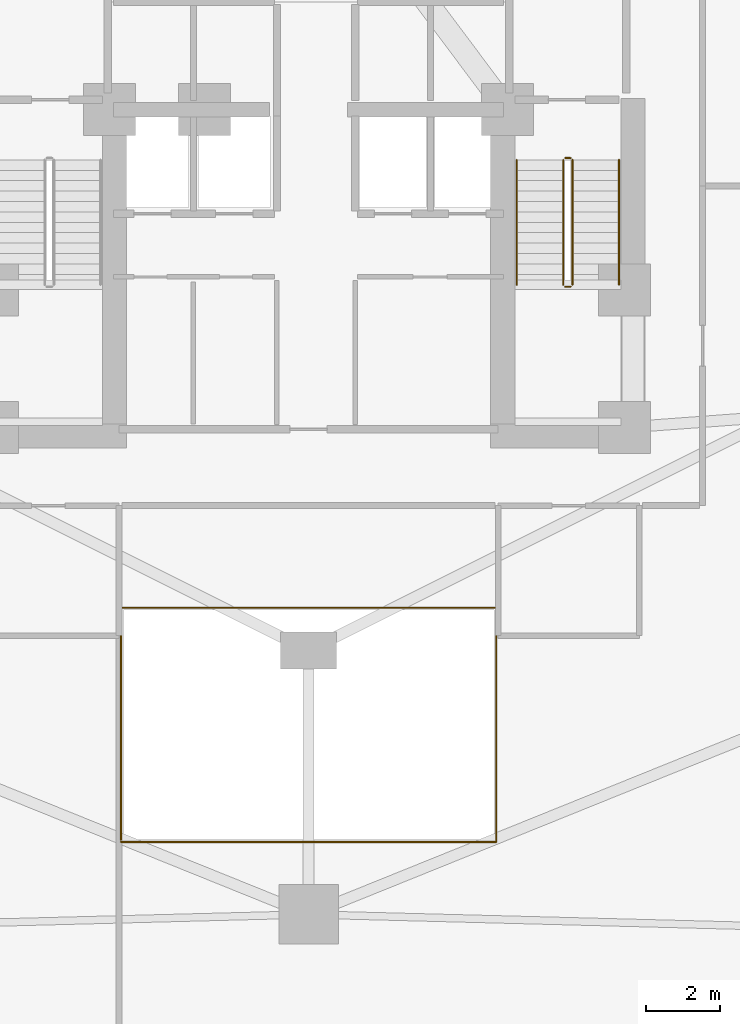
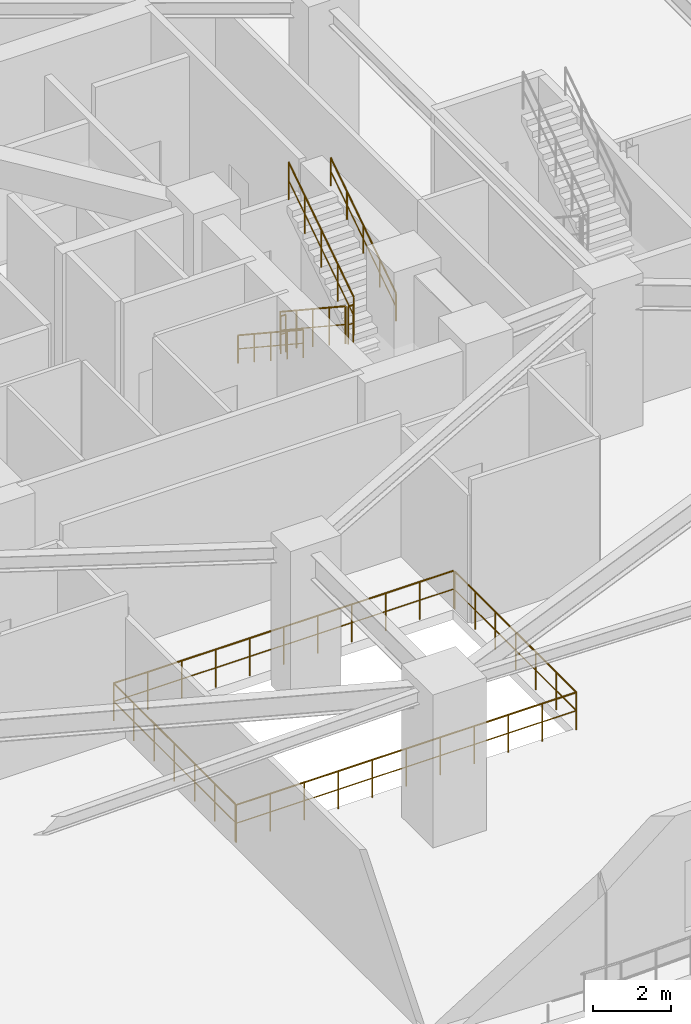
# One storey, part 21 of 25: 8 railings.
"""IFC4 building model written with IfcOpenShell, lengths in metres."""

from ifc_helpers import new_model, si_unit, direction, frame, origin, origin_2d, place, context, subcontext, project, spatial, circle, extrude, material, type_object, element, save


model = new_model("IFC4")

# Units and contexts
model_context = context("Model", 3, precision=1e-05, world=origin(), true_north=direction((0.0, 1.0)))
body_context = subcontext(model_context, "Body", "Model", "MODEL_VIEW")
ifc_project = project(units=[si_unit("LENGTHUNIT", "METRE"), si_unit("AREAUNIT", "SQUARE_METRE"), si_unit("VOLUMEUNIT", "CUBIC_METRE"), si_unit("PLANEANGLEUNIT", "RADIAN"), si_unit("MASSUNIT", "GRAM", prefix="KILO")], contexts=[model_context])

# Site, building, storey
site_placement = place(None, origin())
site = spatial("IfcSite", under=ifc_project, at=site_placement, CompositionType="ELEMENT")
building_placement = place(site_placement, origin())
building = spatial("IfcBuilding", under=site, at=building_placement, Name="Miruveldt Soraemaru", CompositionType="ELEMENT")
storey_placement = place(building_placement, frame((0.0, 0.0, 4.800048828125)))
storey = spatial("IfcBuildingStorey", under=building, at=storey_placement, Name="L02", CompositionType="ELEMENT", Elevation=4.800048828125)

# Railings
ifc_material_1 = material(Name="Anodised aluminium EN AW-6063 T6", Category="aluminium")
railing_type_1 = type_object("IfcRailingType", Name="RAIL-BAL-1200", PredefinedType="BALUSTRADE", material=ifc_material_1)
railing_1_placement = place(storey_placement, frame((38.949951171875, 24.35009765625, 0.0)))
element("IfcRailing", 1, at=railing_1_placement, inside=storey, type_object=railing_type_1, Name="L02 Podium Atrium Void Balustrade (A)", PredefinedType="BALUSTRADE", context=body_context, shape_type="SweptSolid", body=[
    extrude(circle(Radius=0.02392578125, at=origin_2d()), frame((0.0, 0.0, 1.17578125), z_axis=(1.0, 0.0, 0.0), x_axis=(0.0, 1.0, 0.0)), (0.0, 0.0, 1.0), 10.10009765625),
    extrude(circle(Radius=0.01611328125, at=origin_2d()), frame((0.0, 0.0, 0.60009765625), z_axis=(1.0, 0.0, 0.0), x_axis=(0.0, 1.0, 0.0)), (0.0, 0.0, 1.0), 10.10009765625),
    extrude(circle(Radius=0.02392578125, at=origin_2d()), frame((10.10009765625, 0.0, 1.17578125), z_axis=(0.0, 1.0, 0.0), x_axis=(-1.0, 0.0, 0.0)), (0.0, 0.0, 1.0), 6.244873046875),
    extrude(circle(Radius=0.01611328125, at=origin_2d()), frame((10.10009765625, 0.0, 0.60009765625), z_axis=(0.0, 1.0, 0.0), x_axis=(-1.0, 0.0, 0.0)), (0.0, 0.0, 1.0), 6.244873046875),
    extrude(circle(Radius=0.02099609375, at=origin_2d()), origin(), (0.0, 0.0, 1.0), 1.15185546875),
    extrude(circle(Radius=0.02099609375, at=origin_2d()), frame((1.010009765625, 0.0, 0.0)), (0.0, 0.0, 1.0), 1.15185546875),
    extrude(circle(Radius=0.02099609375, at=origin_2d()), frame((2.02001953125, 0.0, 0.0)), (0.0, 0.0, 1.0), 1.15185546875),
    extrude(circle(Radius=0.02099609375, at=origin_2d()), frame((3.030029296875, 0.0, 0.0)), (0.0, 0.0, 1.0), 1.15185546875),
    extrude(circle(Radius=0.02099609375, at=origin_2d()), frame((4.0400390625, 0.0, 0.0)), (0.0, 0.0, 1.0), 1.15185546875),
    extrude(circle(Radius=0.02099609375, at=origin_2d()), frame((5.050048828125, 0.0, 0.0)), (0.0, 0.0, 1.0), 1.15185546875),
    extrude(circle(Radius=0.02099609375, at=origin_2d()), frame((6.06005859375, 0.0, 0.0)), (0.0, 0.0, 1.0), 1.15185546875),
    extrude(circle(Radius=0.02099609375, at=origin_2d()), frame((7.070068359375, 0.0, 0.0)), (0.0, 0.0, 1.0), 1.15185546875),
    extrude(circle(Radius=0.02099609375, at=origin_2d()), frame((8.080078125, 0.0, 0.0)), (0.0, 0.0, 1.0), 1.15185546875),
    extrude(circle(Radius=0.02099609375, at=origin_2d()), frame((9.090087890625, 0.0, 0.0)), (0.0, 0.0, 1.0), 1.15185546875),
    extrude(circle(Radius=0.02099609375, at=origin_2d()), frame((10.10009765625, 0.0, 0.0)), (0.0, 0.0, 1.0), 1.15185546875),
    extrude(circle(Radius=0.02099609375, at=origin_2d()), frame((10.10009765625, 1.040771484375, 0.0)), (0.0, 0.0, 1.0), 1.15185546875),
    extrude(circle(Radius=0.02099609375, at=origin_2d()), frame((10.10009765625, 2.08154296875, 0.0)), (0.0, 0.0, 1.0), 1.15185546875),
    extrude(circle(Radius=0.02099609375, at=origin_2d()), frame((10.10009765625, 3.12255859375, 0.0)), (0.0, 0.0, 1.0), 1.15185546875),
    extrude(circle(Radius=0.02099609375, at=origin_2d()), frame((10.10009765625, 4.163330078125, 0.0)), (0.0, 0.0, 1.0), 1.15185546875),
    extrude(circle(Radius=0.02099609375, at=origin_2d()), frame((10.10009765625, 5.2041015625, 0.0)), (0.0, 0.0, 1.0), 1.15185546875),
    extrude(circle(Radius=0.02099609375, at=origin_2d()), frame((10.10009765625, 6.244873046875, 0.0)), (0.0, 0.0, 1.0), 1.15185546875),
])
railing_2_placement = place(storey_placement, frame((49.050048828125, 30.64990234375, 0.0)))
element("IfcRailing", 2, at=railing_2_placement, inside=storey, type_object=railing_type_1, Name="L02 Podium Atrium Void Balustrade (B)", PredefinedType="BALUSTRADE", context=body_context, shape_type="SweptSolid", body=[
    extrude(circle(Radius=0.02392578125, at=origin_2d()), frame((0.0, 0.0, 1.17578125), z_axis=(-1.0, 0.0, 0.0), x_axis=(0.0, -1.0, 0.0)), (0.0, 0.0, 1.0), 10.10009765625),
    extrude(circle(Radius=0.01611328125, at=origin_2d()), frame((0.0, 0.0, 0.60009765625), z_axis=(-1.0, 0.0, 0.0), x_axis=(0.0, -1.0, 0.0)), (0.0, 0.0, 1.0), 10.10009765625),
    extrude(circle(Radius=0.02392578125, at=origin_2d()), frame((-10.10009765625, 0.0, 1.17578125), z_axis=(0.0, -1.0, 0.0), x_axis=(1.0, 0.0, 0.0)), (0.0, 0.0, 1.0), 6.244873046875),
    extrude(circle(Radius=0.01611328125, at=origin_2d()), frame((-10.10009765625, 0.0, 0.60009765625), z_axis=(0.0, -1.0, 0.0), x_axis=(1.0, 0.0, 0.0)), (0.0, 0.0, 1.0), 6.244873046875),
    extrude(circle(Radius=0.02099609375, at=origin_2d()), origin(), (0.0, 0.0, 1.0), 1.15185546875),
    extrude(circle(Radius=0.02099609375, at=origin_2d()), frame((-1.010009765625, 0.0, 0.0)), (0.0, 0.0, 1.0), 1.15185546875),
    extrude(circle(Radius=0.02099609375, at=origin_2d()), frame((-2.02001953125, 0.0, 0.0)), (0.0, 0.0, 1.0), 1.15185546875),
    extrude(circle(Radius=0.02099609375, at=origin_2d()), frame((-3.030029296875, 0.0, 0.0)), (0.0, 0.0, 1.0), 1.15185546875),
    extrude(circle(Radius=0.02099609375, at=origin_2d()), frame((-4.0400390625, 0.0, 0.0)), (0.0, 0.0, 1.0), 1.15185546875),
    extrude(circle(Radius=0.02099609375, at=origin_2d()), frame((-5.050048828125, 0.0, 0.0)), (0.0, 0.0, 1.0), 1.15185546875),
    extrude(circle(Radius=0.02099609375, at=origin_2d()), frame((-6.06005859375, 0.0, 0.0)), (0.0, 0.0, 1.0), 1.15185546875),
    extrude(circle(Radius=0.02099609375, at=origin_2d()), frame((-7.070068359375, 0.0, 0.0)), (0.0, 0.0, 1.0), 1.15185546875),
    extrude(circle(Radius=0.02099609375, at=origin_2d()), frame((-8.080078125, 0.0, 0.0)), (0.0, 0.0, 1.0), 1.15185546875),
    extrude(circle(Radius=0.02099609375, at=origin_2d()), frame((-9.090087890625, 0.0, 0.0)), (0.0, 0.0, 1.0), 1.15185546875),
    extrude(circle(Radius=0.02099609375, at=origin_2d()), frame((-10.10009765625, 0.0, 0.0)), (0.0, 0.0, 1.0), 1.15185546875),
    extrude(circle(Radius=0.02099609375, at=origin_2d()), frame((-10.10009765625, -1.040771484375, 0.0)), (0.0, 0.0, 1.0), 1.15185546875),
    extrude(circle(Radius=0.02099609375, at=origin_2d()), frame((-10.10009765625, -2.08154296875, 0.0)), (0.0, 0.0, 1.0), 1.15185546875),
    extrude(circle(Radius=0.02099609375, at=origin_2d()), frame((-10.10009765625, -3.12255859375, 0.0)), (0.0, 0.0, 1.0), 1.15185546875),
    extrude(circle(Radius=0.02099609375, at=origin_2d()), frame((-10.10009765625, -4.163330078125, 0.0)), (0.0, 0.0, 1.0), 1.15185546875),
    extrude(circle(Radius=0.02099609375, at=origin_2d()), frame((-10.10009765625, -5.2041015625, 0.0)), (0.0, 0.0, 1.0), 1.15185546875),
    extrude(circle(Radius=0.02099609375, at=origin_2d()), frame((-10.10009765625, -6.244873046875, 0.0)), (0.0, 0.0, 1.0), 1.15185546875),
])
ifc_material_2 = material(Name="Steel S355 (355 MPa)", Category="steel")
railing_type_2 = type_object("IfcRailingType", Name="RAIL-HR-900", PredefinedType="HANDRAIL", material=ifc_material_2)
railing_3_placement = place(storey_placement, frame((49.60009765625, 42.699951171875, 0.1845703125)))
element("IfcRailing", 3, at=railing_3_placement, inside=storey, type_object=railing_type_2, Name="L02 ST-2 stair handrail 1", PredefinedType="HANDRAIL", context=body_context, shape_type="SweptSolid", body=[
    extrude(circle(Radius=0.02392578125, at=origin_2d()), frame((0.0, 0.0, 0.8759765625), z_axis=(0.0, -0.834858096282, 0.550465220583), x_axis=(1.0, 0.0, 0.0)), (0.0, 0.0, 1.0), 4.0244140625),
    extrude(circle(Radius=0.01611328125, at=origin_2d()), frame((0.0, 0.0, 0.449951171875), z_axis=(0.0, -0.834858096282, 0.550465220583), x_axis=(1.0, 0.0, 0.0)), (0.0, 0.0, 1.0), 4.0244140625),
    extrude(circle(Radius=0.02099609375, at=origin_2d()), origin(), (0.0, 0.0, 1.0), 0.851806640625),
    extrude(circle(Radius=0.02099609375, at=origin_2d()), frame((0.0, -0.83984375, 0.5537109375)), (0.0, 0.0, 1.0), 0.851806640625),
    extrude(circle(Radius=0.02099609375, at=origin_2d()), frame((0.0, -1.679931640625, 1.107666015625)), (0.0, 0.0, 1.0), 0.851806640625),
    extrude(circle(Radius=0.02099609375, at=origin_2d()), frame((0.0, -2.52001953125, 1.66162109375)), (0.0, 0.0, 1.0), 0.851806640625),
    extrude(circle(Radius=0.02099609375, at=origin_2d()), frame((0.0, -3.35986328125, 2.21533203125)), (0.0, 0.0, 1.0), 0.851806640625),
])
railing_4_placement = place(storey_placement, frame((52.35009765625, 39.340087890625, 2.58447265625)))
element("IfcRailing", 4, at=railing_4_placement, inside=storey, type_object=railing_type_2, Name="L02 ST-2 stair handrail 2", PredefinedType="HANDRAIL", context=body_context, shape_type="SweptSolid", body=[
    extrude(circle(Radius=0.02392578125, at=origin_2d()), frame((0.0, 0.0, 0.8759765625), z_axis=(0.0, 0.83483021737, 0.550507500554), x_axis=(-1.0, 0.0, 0.0)), (0.0, 0.0, 1.0), 4.024658203125),
    extrude(circle(Radius=0.01611328125, at=origin_2d()), frame((0.0, 0.0, 0.449951171875), z_axis=(0.0, 0.83483021737, 0.550507500554), x_axis=(-1.0, 0.0, 0.0)), (0.0, 0.0, 1.0), 4.024658203125),
    extrude(circle(Radius=0.02099609375, at=origin_2d()), origin(), (0.0, 0.0, 1.0), 0.851806640625),
    extrude(circle(Radius=0.02099609375, at=origin_2d()), frame((0.0, 0.83984375, 0.553955078125)), (0.0, 0.0, 1.0), 0.851806640625),
    extrude(circle(Radius=0.02099609375, at=origin_2d()), frame((0.0, 1.679931640625, 1.10791015625)), (0.0, 0.0, 1.0), 0.851806640625),
    extrude(circle(Radius=0.02099609375, at=origin_2d()), frame((0.0, 2.52001953125, 1.66162109375)), (0.0, 0.0, 1.0), 0.851806640625),
    extrude(circle(Radius=0.02099609375, at=origin_2d()), frame((0.0, 3.35986328125, 2.215576171875)), (0.0, 0.0, 1.0), 0.851806640625),
])
railing_type_3 = type_object("IfcRailingType", Name="RAIL-STGUARD-1200", PredefinedType="GUARDRAIL", material=ifc_material_2)
railing_5_placement = place(storey_placement, frame((50.85009765625, 42.699951171875, 0.1845703125)))
element("IfcRailing", 5, at=railing_5_placement, inside=storey, type_object=railing_type_3, Name="L02 ST-2 stair guard 1", PredefinedType="GUARDRAIL", context=body_context, shape_type="SweptSolid", body=[
    extrude(circle(Radius=0.02392578125, at=origin_2d()), frame((0.0, 0.0, 1.17578125), z_axis=(0.0, -0.834858096282, 0.550465220583), x_axis=(1.0, 0.0, 0.0)), (0.0, 0.0, 1.0), 4.0244140625),
    extrude(circle(Radius=0.01611328125, at=origin_2d()), frame((0.0, 0.0, 0.60009765625), z_axis=(0.0, -0.834858096282, 0.550465220583), x_axis=(1.0, 0.0, 0.0)), (0.0, 0.0, 1.0), 4.0244140625),
    extrude(circle(Radius=0.02099609375, at=origin_2d()), origin(), (0.0, 0.0, 1.0), 1.15185546875),
    extrude(circle(Radius=0.02099609375, at=origin_2d()), frame((0.0, -0.83984375, 0.5537109375)), (0.0, 0.0, 1.0), 1.15185546875),
    extrude(circle(Radius=0.02099609375, at=origin_2d()), frame((0.0, -1.679931640625, 1.107666015625)), (0.0, 0.0, 1.0), 1.15185546875),
    extrude(circle(Radius=0.02099609375, at=origin_2d()), frame((0.0, -2.52001953125, 1.66162109375)), (0.0, 0.0, 1.0), 1.15185546875),
    extrude(circle(Radius=0.02099609375, at=origin_2d()), frame((0.0, -3.35986328125, 2.21533203125)), (0.0, 0.0, 1.0), 1.15185546875),
])
railing_6_placement = place(storey_placement, frame((50.89990234375, 39.2900390625, 2.39990234375)))
element("IfcRailing", 6, at=railing_6_placement, inside=storey, type_object=railing_type_3, Name="L02 ST-2 stair guard 2", PredefinedType="GUARDRAIL", context=body_context, shape_type="SweptSolid", body=[
    extrude(circle(Radius=0.02392578125, at=origin_2d()), frame((0.0, 0.0, 1.17578125), z_axis=(1.0, 0.0, 0.0), x_axis=(0.0, 1.0, 0.0)), (0.0, 0.0, 1.0), 0.150146484375),
    extrude(circle(Radius=0.01611328125, at=origin_2d()), frame((0.0, 0.0, 0.60009765625), z_axis=(1.0, 0.0, 0.0), x_axis=(0.0, 1.0, 0.0)), (0.0, 0.0, 1.0), 0.150146484375),
    extrude(circle(Radius=0.02099609375, at=origin_2d()), origin(), (0.0, 0.0, 1.0), 1.15185546875),
    extrude(circle(Radius=0.02099609375, at=origin_2d()), frame((0.150146484375, 0.0, 0.0)), (0.0, 0.0, 1.0), 1.15185546875),
])
railing_7_placement = place(storey_placement, frame((51.10009765625, 39.340087890625, 2.58447265625)))
element("IfcRailing", 7, at=railing_7_placement, inside=storey, type_object=railing_type_3, Name="L02 ST-2 stair guard 3", PredefinedType="GUARDRAIL", context=body_context, shape_type="SweptSolid", body=[
    extrude(circle(Radius=0.02392578125, at=origin_2d()), frame((0.0, 0.0, 1.17578125), z_axis=(0.0, 0.83483021737, 0.550507500554), x_axis=(-1.0, 0.0, 0.0)), (0.0, 0.0, 1.0), 4.024658203125),
    extrude(circle(Radius=0.01611328125, at=origin_2d()), frame((0.0, 0.0, 0.60009765625), z_axis=(0.0, 0.83483021737, 0.550507500554), x_axis=(-1.0, 0.0, 0.0)), (0.0, 0.0, 1.0), 4.024658203125),
    extrude(circle(Radius=0.02099609375, at=origin_2d()), origin(), (0.0, 0.0, 1.0), 1.15185546875),
    extrude(circle(Radius=0.02099609375, at=origin_2d()), frame((0.0, 0.83984375, 0.553955078125)), (0.0, 0.0, 1.0), 1.15185546875),
    extrude(circle(Radius=0.02099609375, at=origin_2d()), frame((0.0, 1.679931640625, 1.10791015625)), (0.0, 0.0, 1.0), 1.15185546875),
    extrude(circle(Radius=0.02099609375, at=origin_2d()), frame((0.0, 2.52001953125, 1.66162109375)), (0.0, 0.0, 1.0), 1.15185546875),
    extrude(circle(Radius=0.02099609375, at=origin_2d()), frame((0.0, 3.35986328125, 2.215576171875)), (0.0, 0.0, 1.0), 1.15185546875),
])
railing_8_placement = place(storey_placement, frame((50.89990234375, 42.75, 0.0)))
element("IfcRailing", 8, at=railing_8_placement, inside=storey, type_object=railing_type_3, Name="L02 ST-2 stair guard 4", PredefinedType="GUARDRAIL", context=body_context, shape_type="SweptSolid", body=[
    extrude(circle(Radius=0.02392578125, at=origin_2d()), frame((0.0, 0.0, 1.17578125), z_axis=(1.0, 0.0, 0.0), x_axis=(0.0, 1.0, 0.0)), (0.0, 0.0, 1.0), 0.150146484375),
    extrude(circle(Radius=0.01611328125, at=origin_2d()), frame((0.0, 0.0, 0.60009765625), z_axis=(1.0, 0.0, 0.0), x_axis=(0.0, 1.0, 0.0)), (0.0, 0.0, 1.0), 0.150146484375),
    extrude(circle(Radius=0.02099609375, at=origin_2d()), origin(), (0.0, 0.0, 1.0), 1.15185546875),
    extrude(circle(Radius=0.02099609375, at=origin_2d()), frame((0.150146484375, 0.0, 0.0)), (0.0, 0.0, 1.0), 1.15185546875),
])

save(model, "model.ifc")
